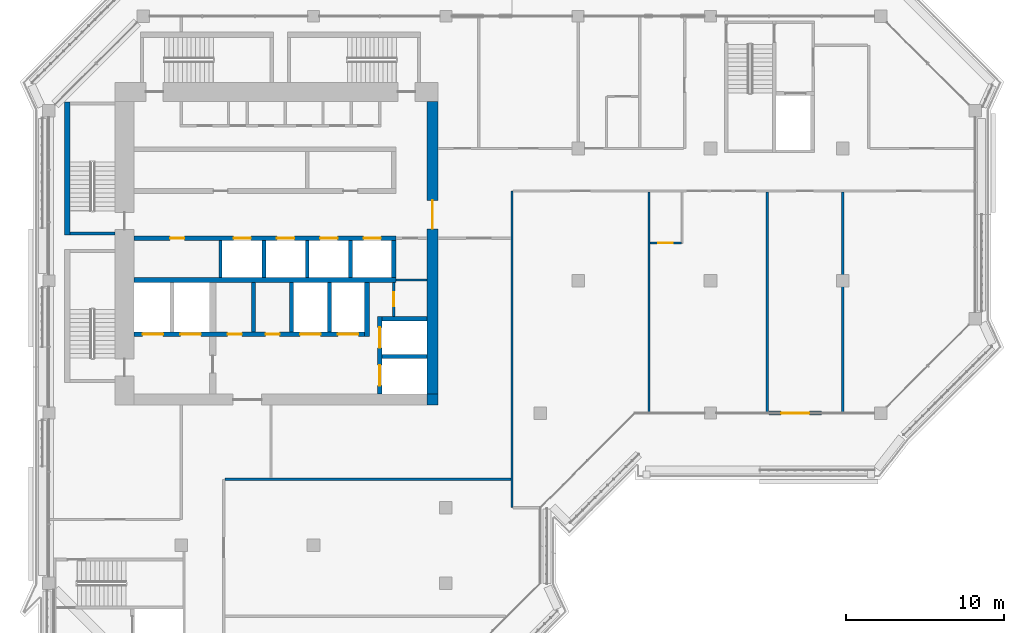
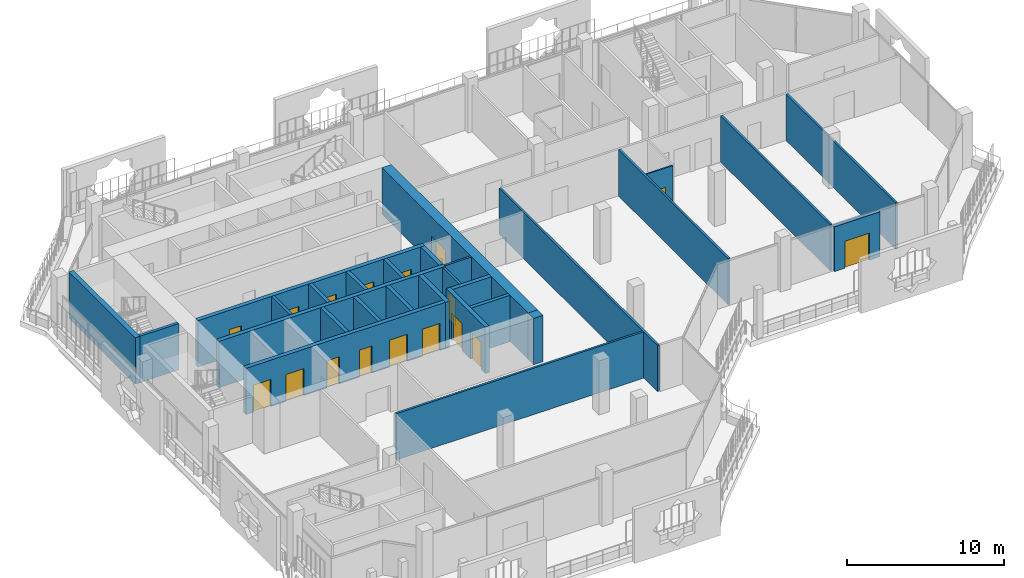
# One storey, part 11 of 21: 28 walls, 17 doors, 17 openings.
"""IFC4 building model written with IfcOpenShell, lengths in metres."""

import ifcopenshell
import ifcopenshell.guid

model = None  # the IFC model being written
_history = None  # IfcOwnerHistory: only IFC2X3 demands one
_inside = {}  # id of a spatial element -> (the spatial element, [elements in it])
_under = {}  # id of a project, library or spatial element -> (it, [spatial elements below it])
_declared = {}  # id of a project -> (the project, [libraries it declares])
_typed = {}  # id of a type object -> (the type object, [elements of that type])
_made_of = {}  # id of a material, layer set ... -> (it, [elements and type objects made of it])


def new_model(schema):
    """Start an empty IFC model of exactly this schema.

    Asked for "IFC4X3", IfcOpenShell would pick the latest addendum, in which some entities
    have other attributes; the version numbers below select the first issue.
    IFC2X3 requires an IfcOwnerHistory on every rooted entity: one is made here for all.
    """
    global model, _history
    if schema == "IFC4X3":
        model = ifcopenshell.file(schema_version=(4, 3, 0, 0))
    else:
        model = ifcopenshell.file(schema=schema)
    _inside.clear()
    _under.clear()
    _declared.clear()
    _typed.clear()
    _made_of.clear()
    _history = None
    if model.schema == "IFC2X3":
        org = make("IfcOrganization", Name="unknown")
        user = make(
            "IfcPersonAndOrganization",
            ThePerson=make("IfcPerson", FamilyName="unknown"),
            TheOrganization=org,
        )
        app = make(
            "IfcApplication",
            ApplicationDeveloper=org,
            Version="unknown",
            ApplicationFullName="unknown",
            ApplicationIdentifier="unknown",
        )
        _history = make(
            "IfcOwnerHistory",
            OwningUser=user,
            OwningApplication=app,
            ChangeAction="ADDED",
            CreationDate=0,
        )
    return model


def make(cls, **values):
    """One entity of the class cls with the attributes given. An attribute that is None is left unset."""
    return model.create_entity(
        cls, **{name: value for name, value in values.items() if value is not None}
    )


def rooted(cls, **values):
    """An entity with a GlobalId (a new one), such as an element, a storey or a relation."""
    return make(cls, GlobalId=ifcopenshell.guid.new(), OwnerHistory=_history, **values)


def si_unit(unit_type, name, prefix=None):
    """IfcSIUnit, for example si_unit("LENGTHUNIT", "METRE", prefix="MILLI")."""
    return make("IfcSIUnit", UnitType=unit_type, Prefix=prefix, Name=name)


def assignment(units):
    """IfcUnitAssignment: the units of a project."""
    return None if units is None else make("IfcUnitAssignment", Units=units)


def point(xyz):
    """IfcCartesianPoint."""
    return None if xyz is None else make("IfcCartesianPoint", Coordinates=xyz)


def direction(xyz):
    """IfcDirection."""
    return None if xyz is None else make("IfcDirection", DirectionRatios=xyz)


def frame(location, z_axis=None, x_axis=None):
    """IfcAxis2Placement3D, a coordinate frame: its origin and axes. An axis left out is left unset."""
    return make(
        "IfcAxis2Placement3D",
        Location=point(location),
        Axis=direction(z_axis),
        RefDirection=direction(x_axis),
    )


def frame_2d(location, x_axis=None):
    """IfcAxis2Placement2D, a coordinate frame in the plane: its origin and x axis."""
    return make(
        "IfcAxis2Placement2D", Location=point(location), RefDirection=direction(x_axis)
    )


def origin():
    """The frame at (0, 0, 0) with its axes left unset."""
    return frame((0.0, 0.0, 0.0))


def place(relative_to, where):
    """IfcLocalPlacement: puts the frame where relative to a parent placement (None: the world)."""
    return make(
        "IfcLocalPlacement", PlacementRelTo=relative_to, RelativePlacement=where
    )


def context(
    kind, dimensions, precision=None, world=None, true_north=None, identifier=None
):
    """IfcGeometricRepresentationContext, for example the 3D "Model" context."""
    return make(
        "IfcGeometricRepresentationContext",
        ContextIdentifier=identifier,
        ContextType=kind,
        CoordinateSpaceDimension=dimensions,
        Precision=precision,
        WorldCoordinateSystem=world,
        TrueNorth=true_north,
    )


def subcontext(parent, identifier, kind, view, scale=None):
    """IfcGeometricRepresentationSubContext, for example "Body" below "Model"."""
    return make(
        "IfcGeometricRepresentationSubContext",
        ContextIdentifier=identifier,
        ContextType=kind,
        ParentContext=parent,
        TargetScale=scale,
        TargetView=view,
    )


def project(units=None, contexts=None):
    """IfcProject with its units and contexts."""
    return rooted(
        "IfcProject",
        Name="project",
        RepresentationContexts=contexts,
        UnitsInContext=assignment(units),
    )


def spatial(cls, under=None, at=None, **own):
    """A site, building, storey or space (cls), placed at a placement, below another one or the project."""
    s = rooted(cls, ObjectPlacement=at, **own)
    if under is not None:
        _under.setdefault(under.id(), (under, []))[1].append(s)
    return s


def profile(cls, at=None, kind="AREA", **sizes):
    """A parametric profile (cls). Its sizes go by their IFC names, for example OverallWidth=200.0."""
    return make(cls, ProfileType=kind, Position=at, **sizes)


def rectangle(**sizes):
    """IfcRectangleProfileDef."""
    return profile("IfcRectangleProfileDef", **sizes)


def extrude(swept, where, along, depth):
    """IfcExtrudedAreaSolid: the profile swept, set in the frame where, extruded along a direction by depth."""
    return make(
        "IfcExtrudedAreaSolid",
        SweptArea=swept,
        Position=where,
        ExtrudedDirection=direction(along),
        Depth=depth,
    )


def shape(context_of_items, identifier, shape_type, items):
    """IfcShapeRepresentation: the items that make up one representation, for example the "Body"."""
    return make(
        "IfcShapeRepresentation",
        ContextOfItems=context_of_items,
        RepresentationIdentifier=identifier,
        RepresentationType=shape_type,
        Items=items,
    )


def material(Name=None, Category=None):
    """IfcMaterial."""
    return make("IfcMaterial", Name=Name, Category=Category)


def layer(
    of_material, thickness, ventilated=None, Name=None, Category=None, Priority=None
):
    """IfcMaterialLayer: one layer of a wall or slab, of a material (None: an air gap)."""
    return make(
        "IfcMaterialLayer",
        Material=of_material,
        LayerThickness=thickness,
        IsVentilated=ventilated,
        Name=Name,
        Category=Category,
        Priority=Priority,
    )


def layer_set(layers, Name=None):
    """IfcMaterialLayerSet."""
    return make("IfcMaterialLayerSet", MaterialLayers=layers, LayerSetName=Name)


def made_of(thing, what):
    """Note that an element or type object is made of a material, layer set ...; save() writes the relation."""
    if what is not None:
        _made_of.setdefault(what.id(), (what, []))[1].append(thing)
    return thing


def type_object(cls, material=None, **own):
    """A type object (cls), such as IfcWallType, which elements share."""
    return made_of(rooted(cls, **own), material)


def element(
    cls,
    number,
    at=None,
    inside=None,
    cuts=None,
    type_object=None,
    material=None,
    context=None,
    identifier="Body",
    shape_type=None,
    held_by="IfcProductDefinitionShape",
    body=None,
    shapes=None,
    **own,
):
    """One element of the class cls, such as IfcWall. Its Tag is "e" and its number.

    at: its placement. inside: the storey or other place that contains it. cuts: it is an
    opening in that element (IfcRelVoidsElement). A single representation is given by context,
    identifier, shape_type and body (its items); several are given by shapes. held_by: the class
    of the entity that holds the representations. save() writes the other relations.
    """
    e = rooted(cls, Tag="e%d" % number, ObjectPlacement=at, **own)
    if body is not None:
        shapes = [shape(context, identifier, shape_type, body)]
    if shapes is not None:
        e.Representation = make(held_by, Representations=shapes)
    if inside is not None:
        _inside.setdefault(inside.id(), (inside, []))[1].append(e)
    if cuts is not None:
        rooted(
            "IfcRelVoidsElement", RelatingBuildingElement=cuts, RelatedOpeningElement=e
        )
    if type_object is not None:
        _typed.setdefault(type_object.id(), (type_object, []))[1].append(e)
    return made_of(e, material)


def fill(opening, filler):
    """IfcRelFillsElement: the door or window that sits in an opening."""
    return rooted(
        "IfcRelFillsElement",
        RelatingOpeningElement=opening,
        RelatedBuildingElement=filler,
    )


def aggregate(whole, parts):
    """IfcRelAggregates: a whole, such as a stair, and the parts it consists of."""
    return rooted("IfcRelAggregates", RelatingObject=whole, RelatedObjects=parts)


def save(model, path):
    """Write the relations noted so far, then the file.

    IfcRelAggregates (storeys below a building ...), IfcRelContainedInSpatialStructure (elements
    in a storey), IfcRelDefinesByType, IfcRelAssociatesMaterial and IfcRelDeclares: one each for
    every whole, place, type object, material and project.
    """
    for whole, parts in _under.values():
        aggregate(whole, parts)
    for where, things in _inside.values():
        rooted(
            "IfcRelContainedInSpatialStructure",
            RelatedElements=things,
            RelatingStructure=where,
        )
    for kind, things in _typed.values():
        rooted("IfcRelDefinesByType", RelatedObjects=things, RelatingType=kind)
    for what, things in _made_of.values():
        rooted("IfcRelAssociatesMaterial", RelatedObjects=things, RelatingMaterial=what)
    for by, libraries in _declared.values():
        rooted("IfcRelDeclares", RelatingContext=by, RelatedDefinitions=libraries)
    model.write(path)


model = new_model("IFC4")

# Units and contexts
model_context = context("Model", 3, precision=1e-05, world=origin(), true_north=direction((0.0, 1.0)))
body_context = subcontext(model_context, "Body", "Model", "MODEL_VIEW")
ifc_project = project(units=[si_unit("LENGTHUNIT", "METRE"), si_unit("AREAUNIT", "SQUARE_METRE"), si_unit("VOLUMEUNIT", "CUBIC_METRE"), si_unit("PLANEANGLEUNIT", "RADIAN"), si_unit("MASSUNIT", "GRAM", prefix="KILO")], contexts=[model_context])

# Site, building, storey
site_placement = place(None, origin())
site = spatial("IfcSite", under=ifc_project, at=site_placement, CompositionType="ELEMENT")
building_placement = place(site_placement, origin())
building = spatial("IfcBuilding", under=site, at=building_placement, Name="Kawkab Arch Medical Tower", CompositionType="ELEMENT")
storey_placement = place(building_placement, frame((0.0, 0.0, 323.800048828125)))
storey = spatial("IfcBuildingStorey", under=building, at=storey_placement, Name="L75", CompositionType="ELEMENT", Elevation=323.800048828125)

# Wall, opening, door
ifc_material_1 = material(Name="Concrete C50/60", Category="concrete")
ifc_layer_1 = layer(ifc_material_1, 0.699951171875)
ifc_layer_set_1 = layer_set([ifc_layer_1], Name="Concrete C50/60")
wall_type_1 = type_object("IfcWallType", Name="Core ring wall 700 C50/60", PredefinedType="SHEAR", material=ifc_layer_set_1)
wall_1_placement = place(storey_placement, frame((24.35009765625, -24.0, 0.0), z_axis=(0.0, 0.0, 1.0), x_axis=(0.0, 1.0, 0.0)))
wall_1 = element("IfcWall", 1, at=wall_1_placement, inside=storey, type_object=wall_type_1, Name="L75 core wall", PredefinedType="SHEAR", context=body_context, shape_type="SweptSolid", body=[
    extrude(rectangle(XDim=18.60009765625, YDim=0.699951171875, at=frame_2d((9.300048828125, 0.0))), origin(), (0.0, 0.0, 1.0), 3.599853515625),
])
opening_1_placement = place(wall_1_placement, frame((10.5, 0.0, 0.0)))
opening_1 = element("IfcOpeningElement", 2, at=opening_1_placement, cuts=wall_1, Name="Opening PD", PredefinedType="OPENING", context=body_context, shape_type="SweptSolid", body=[
    extrude(rectangle(XDim=1.800048828125, YDim=2.10009765625, at=frame_2d((0.89990234375, 1.050048828125))), frame((0.0, 0.35986328125, 0.0), z_axis=(0.0, -1.0, 0.0), x_axis=(1.0, 0.0, 0.0)), (0.0, 0.0, 1.0), 0.719970703125),
])
ifc_material_2 = material(Name="Hollow metal fire door leaf")
door_type_1 = type_object("IfcDoorType", Name="Core entrance doors 1800", OperationType="DOUBLE_DOOR_SINGLE_SWING", PredefinedType="DOOR", material=ifc_material_2)
door_1_placement = place(opening_1_placement, origin())
door_1 = element("IfcDoor", 3, at=door_1_placement, inside=storey, type_object=door_type_1, Name="L75 East entrance doors", OperationType="DOUBLE_DOOR_SINGLE_SWING", OverallHeight=2.10009765625, OverallWidth=1.800048828125, PredefinedType="DOOR", context=body_context, shape_type="SweptSolid", body=[
    extrude(rectangle(XDim=1.800048828125, YDim=2.10009765625, at=frame_2d((0.89990234375, 1.050048828125))), frame((0.0, 0.02490234375, 0.0), z_axis=(0.0, -1.0, 0.0), x_axis=(1.0, 0.0, 0.0)), (0.0, 0.0, 1.0), 0.050048828125),
])
fill(opening_1, door_1)

# Wall
wall_2_placement = place(storey_placement, frame((24.35009765625, -24.699951171875, 0.0), z_axis=(0.0, 0.0, 1.0), x_axis=(0.0, 1.0, 0.0)))
element("IfcWall", 4, at=wall_2_placement, inside=storey, type_object=wall_type_1, Name="L75 core wall", PredefinedType="SHEAR", context=body_context, shape_type="SweptSolid", body=[
    extrude(rectangle(XDim=0.699951171875, YDim=0.699951171875, at=frame_2d((0.35009765625, 0.0))), origin(), (0.0, 0.0, 1.0), 3.599853515625),
])

# Wall, opening, door
ifc_material_3 = material(Name="Gypsum board on steel studs", Category="steel")
ifc_layer_2 = layer(ifc_material_3, 0.14990234375)
ifc_layer_set_2 = layer_set([ifc_layer_2], Name="Gypsum board on steel studs")
wall_type_2 = type_object("IfcWallType", Name="Core room partition 150", PredefinedType="PARTITIONING", material=ifc_layer_set_2)
wall_3_placement = place(storey_placement, frame((21.89990234375, -19.050048828125, 0.0), z_axis=(0.0, 0.0, 1.0), x_axis=(0.0, 1.0, 0.0)))
wall_3 = element("IfcWall", 5, at=wall_3_placement, inside=storey, type_object=wall_type_2, Name="L75 core room partition", PredefinedType="PARTITIONING", context=body_context, shape_type="SweptSolid", body=[
    extrude(rectangle(XDim=2.150146484375, YDim=0.14990234375, at=frame_2d((1.0751953125, 0.0))), origin(), (0.0, 0.0, 1.0), 3.599853515625),
])
opening_2_placement = place(wall_3_placement, frame((0.625, 0.0, 0.0)))
opening_2 = element("IfcOpeningElement", 6, at=opening_2_placement, cuts=wall_3, Name="Opening RD", PredefinedType="OPENING", context=body_context, shape_type="SweptSolid", body=[
    extrude(rectangle(XDim=0.89990234375, YDim=2.10009765625, at=frame_2d((0.449951171875, 1.050048828125))), frame((0.0, 0.0849609375, 0.0), z_axis=(0.0, -1.0, 0.0), x_axis=(1.0, 0.0, 0.0)), (0.0, 0.0, 1.0), 0.169921875),
])
ifc_material_4 = material(Name="Hollow metal fire door leaf")
door_type_2 = type_object("IfcDoorType", Name="Core room door 900", OperationType="SINGLE_SWING_LEFT", PredefinedType="DOOR", material=ifc_material_4)
door_2_placement = place(opening_2_placement, origin())
door_2 = element("IfcDoor", 7, at=door_2_placement, inside=storey, type_object=door_type_2, Name="L75 Accessible WC door", OperationType="SINGLE_SWING_LEFT", OverallHeight=2.10009765625, OverallWidth=0.89990234375, PredefinedType="DOOR", context=body_context, shape_type="SweptSolid", body=[
    extrude(rectangle(XDim=0.89990234375, YDim=2.10009765625, at=frame_2d((0.449951171875, 1.050048828125))), frame((0.0, 0.02490234375, 0.0), z_axis=(0.0, -1.0, 0.0), x_axis=(1.0, 0.0, 0.0)), (0.0, 0.0, 1.0), 0.050048828125),
])
fill(opening_2, door_2)

# Walls
wall_4_placement = place(storey_placement, frame((22.050048828125, -16.75, 0.0), z_axis=(0.0, 0.0, 1.0), x_axis=(1.0, 0.0, 0.0)))
element("IfcWall", 8, at=wall_4_placement, inside=storey, type_object=wall_type_2, Name="L75 core room partition", PredefinedType="PARTITIONING", context=body_context, shape_type="SweptSolid", body=[
    extrude(rectangle(XDim=1.949951171875, YDim=0.14990234375, at=frame_2d((0.97509765625, 0.0))), origin(), (0.0, 0.0, 1.0), 3.599853515625),
])
ifc_material_5 = material(Name="Concrete C60/75", Category="concrete")
ifc_layer_3 = layer(ifc_material_5, 0.25)
ifc_layer_set_3 = layer_set([ifc_layer_3], Name="Concrete C60/75")
wall_type_3 = type_object("IfcWallType", Name="Core shear wall 250 C60/75", PredefinedType="SHEAR", material=ifc_layer_set_3)
wall_5_placement = place(storey_placement, frame((21.14990234375, -21.60009765625, 0.0), z_axis=(0.0, 0.0, 1.0), x_axis=(1.0, 0.0, 0.0)))
element("IfcWall", 9, at=wall_5_placement, inside=storey, type_object=wall_type_3, Name="L75 core shear wall", PredefinedType="SHEAR", context=body_context, shape_type="SweptSolid", body=[
    extrude(rectangle(XDim=2.85009765625, YDim=0.25, at=frame_2d((1.425048828125, 0.0))), origin(), (0.0, 0.0, 1.0), 3.599853515625),
])
for number, where, z_axis, x_axis, name in (
    (10, (13.0, -20.050048828125, 0.0), (0.0, 0.0, 1.0), (0.0, 1.0, 0.0), "L75 core shear wall"),
    (11, (15.39990234375, -20.050048828125, 0.0), (0.0, 0.0, 1.0), (0.0, 1.0, 0.0), "L75 core shear wall"),
    (12, (17.800048828125, -20.050048828125, 0.0), (0.0, 0.0, 1.0), (0.0, 1.0, 0.0), "L75 core shear wall"),
):
    element("IfcWall", number, at=place(storey_placement, frame(where, z_axis=z_axis, x_axis=x_axis)), inside=storey, type_object=wall_type_3, Name=name, PredefinedType="SHEAR", context=body_context, shape_type="SweptSolid", body=[
        extrude(rectangle(XDim=3.150146484375, YDim=0.25, at=frame_2d((1.5751953125, 0.0))), origin(), (0.0, 0.0, 1.0), 3.599853515625),
    ])
for number, where, z_axis, x_axis, name in (
    (13, (13.64990234375, -16.60009765625, 0.0), (0.0, 0.0, 1.0), (0.0, 1.0, 0.0), "L75 core shear wall"),
    (14, (16.39990234375, -16.60009765625, 0.0), (0.0, 0.0, 1.0), (0.0, 1.0, 0.0), "L75 core shear wall"),
    (15, (19.14990234375, -16.60009765625, 0.0), (0.0, 0.0, 1.0), (0.0, 1.0, 0.0), "L75 core shear wall"),
):
    element("IfcWall", number, at=place(storey_placement, frame(where, z_axis=z_axis, x_axis=x_axis)), inside=storey, type_object=wall_type_3, Name=name, PredefinedType="SHEAR", context=body_context, shape_type="SweptSolid", body=[
        extrude(rectangle(XDim=2.35009765625, YDim=0.25, at=frame_2d((1.175048828125, 0.0))), origin(), (0.0, 0.0, 1.0), 3.599853515625),
    ])

# Wall, openings, doors
ifc_material_6 = material(Name="Concrete C60/75", Category="concrete")
ifc_layer_4 = layer(ifc_material_6, 0.300048828125)
ifc_layer_set_4 = layer_set([ifc_layer_4], Name="Concrete C60/75")
wall_type_4 = type_object("IfcWallType", Name="Core shear wall 300 C60/75", PredefinedType="SHEAR", material=ifc_layer_set_4)
wall_6_placement = place(storey_placement, frame((5.39990234375, -14.10009765625, 0.0), z_axis=(0.0, 0.0, 1.0), x_axis=(1.0, 0.0, 0.0)))
wall_6 = element("IfcWall", 16, at=wall_6_placement, inside=storey, type_object=wall_type_4, Name="L75 core shear wall", PredefinedType="SHEAR", context=body_context, shape_type="SweptSolid", body=[
    extrude(rectangle(XDim=16.650146484375, YDim=0.300048828125, at=frame_2d((8.3251953125, 0.0))), origin(), (0.0, 0.0, 1.0), 3.599853515625),
])
opening_3_placement = place(wall_6_placement, frame((6.324951171875, 0.0, 0.0)))
opening_3 = element("IfcOpeningElement", 17, at=opening_3_placement, cuts=wall_6, Name="Opening LD1", PredefinedType="OPENING", context=body_context, shape_type="SweptSolid", body=[
    extrude(rectangle(XDim=1.10009765625, YDim=2.10009765625, at=frame_2d((0.550048828125, 1.050048828125))), frame((0.0, 0.159912109375, 0.0), z_axis=(0.0, -1.0, 0.0), x_axis=(1.0, 0.0, 0.0)), (0.0, 0.0, 1.0), 0.320068359375),
])
opening_4_placement = place(wall_6_placement, frame((9.074951171875, 0.0, 0.0)))
opening_4 = element("IfcOpeningElement", 18, at=opening_4_placement, cuts=wall_6, Name="Opening LD1", PredefinedType="OPENING", context=body_context, shape_type="SweptSolid", body=[
    extrude(rectangle(XDim=1.10009765625, YDim=2.10009765625, at=frame_2d((0.550048828125, 1.050048828125))), frame((0.0, 0.159912109375, 0.0), z_axis=(0.0, -1.0, 0.0), x_axis=(1.0, 0.0, 0.0)), (0.0, 0.0, 1.0), 0.320068359375),
])
opening_5_placement = place(wall_6_placement, frame((11.824951171875, 0.0, 0.0)))
opening_5 = element("IfcOpeningElement", 19, at=opening_5_placement, cuts=wall_6, Name="Opening LD1", PredefinedType="OPENING", context=body_context, shape_type="SweptSolid", body=[
    extrude(rectangle(XDim=1.10009765625, YDim=2.10009765625, at=frame_2d((0.550048828125, 1.050048828125))), frame((0.0, 0.159912109375, 0.0), z_axis=(0.0, -1.0, 0.0), x_axis=(1.0, 0.0, 0.0)), (0.0, 0.0, 1.0), 0.320068359375),
])
opening_6_placement = place(wall_6_placement, frame((14.574951171875, 0.0, 0.0)))
opening_6 = element("IfcOpeningElement", 20, at=opening_6_placement, cuts=wall_6, Name="Opening LD1", PredefinedType="OPENING", context=body_context, shape_type="SweptSolid", body=[
    extrude(rectangle(XDim=1.10009765625, YDim=2.10009765625, at=frame_2d((0.550048828125, 1.050048828125))), frame((0.0, 0.159912109375, 0.0), z_axis=(0.0, -1.0, 0.0), x_axis=(1.0, 0.0, 0.0)), (0.0, 0.0, 1.0), 0.320068359375),
])
opening_7_placement = place(wall_6_placement, frame((2.300048828125, 0.0, 0.0)))
opening_7 = element("IfcOpeningElement", 21, at=opening_7_placement, cuts=wall_6, Name="Opening RD", PredefinedType="OPENING", context=body_context, shape_type="SweptSolid", body=[
    extrude(rectangle(XDim=0.89990234375, YDim=2.10009765625, at=frame_2d((0.449951171875, 1.050048828125))), frame((0.0, 0.159912109375, 0.0), z_axis=(0.0, -1.0, 0.0), x_axis=(1.0, 0.0, 0.0)), (0.0, 0.0, 1.0), 0.320068359375),
])
door_3_placement = place(opening_7_placement, origin())
door_3 = element("IfcDoor", 22, at=door_3_placement, inside=storey, type_object=door_type_2, Name="L75 Medication store door", OperationType="SINGLE_SWING_LEFT", OverallHeight=2.10009765625, OverallWidth=0.89990234375, PredefinedType="DOOR", context=body_context, shape_type="SweptSolid", body=[
    extrude(rectangle(XDim=0.89990234375, YDim=2.10009765625, at=frame_2d((0.449951171875, 1.050048828125))), frame((0.0, 0.02490234375, 0.0), z_axis=(0.0, -1.0, 0.0), x_axis=(1.0, 0.0, 0.0)), (0.0, 0.0, 1.0), 0.050048828125),
])
fill(opening_7, door_3)
ifc_material_7 = material(Name="Stainless steel lift door leaf", Category="steel")
door_type_3 = type_object("IfcDoorType", Name="Lift landing door 1100", OperationType="DOUBLE_DOOR_SLIDING", PredefinedType="DOOR", material=ifc_material_7)
door_4_placement = place(opening_3_placement, origin())
door_4 = element("IfcDoor", 23, at=door_4_placement, inside=storey, type_object=door_type_3, Name="L75 Lift landing door HP1", OperationType="DOUBLE_DOOR_SLIDING", OverallHeight=2.10009765625, OverallWidth=1.10009765625, PredefinedType="DOOR", context=body_context, shape_type="SweptSolid", body=[
    extrude(rectangle(XDim=1.10009765625, YDim=2.10009765625, at=frame_2d((0.550048828125, 1.050048828125))), frame((0.0, 0.02490234375, 0.0), z_axis=(0.0, -1.0, 0.0), x_axis=(1.0, 0.0, 0.0)), (0.0, 0.0, 1.0), 0.050048828125),
])
fill(opening_3, door_4)
door_5_placement = place(opening_4_placement, origin())
door_5 = element("IfcDoor", 24, at=door_5_placement, inside=storey, type_object=door_type_3, Name="L75 Lift landing door HP2", OperationType="DOUBLE_DOOR_SLIDING", OverallHeight=2.10009765625, OverallWidth=1.10009765625, PredefinedType="DOOR", context=body_context, shape_type="SweptSolid", body=[
    extrude(rectangle(XDim=1.10009765625, YDim=2.10009765625, at=frame_2d((0.550048828125, 1.050048828125))), frame((0.0, 0.02490234375, 0.0), z_axis=(0.0, -1.0, 0.0), x_axis=(1.0, 0.0, 0.0)), (0.0, 0.0, 1.0), 0.050048828125),
])
fill(opening_4, door_5)
door_6_placement = place(opening_5_placement, origin())
door_6 = element("IfcDoor", 25, at=door_6_placement, inside=storey, type_object=door_type_3, Name="L75 Lift landing door HP3", OperationType="DOUBLE_DOOR_SLIDING", OverallHeight=2.10009765625, OverallWidth=1.10009765625, PredefinedType="DOOR", context=body_context, shape_type="SweptSolid", body=[
    extrude(rectangle(XDim=1.10009765625, YDim=2.10009765625, at=frame_2d((0.550048828125, 1.050048828125))), frame((0.0, 0.02490234375, 0.0), z_axis=(0.0, -1.0, 0.0), x_axis=(1.0, 0.0, 0.0)), (0.0, 0.0, 1.0), 0.050048828125),
])
fill(opening_5, door_6)
door_7_placement = place(opening_6_placement, origin())
door_7 = element("IfcDoor", 26, at=door_7_placement, inside=storey, type_object=door_type_3, Name="L75 Lift landing door HP4", OperationType="DOUBLE_DOOR_SLIDING", OverallHeight=2.10009765625, OverallWidth=1.10009765625, PredefinedType="DOOR", context=body_context, shape_type="SweptSolid", body=[
    extrude(rectangle(XDim=1.10009765625, YDim=2.10009765625, at=frame_2d((0.550048828125, 1.050048828125))), frame((0.0, 0.02490234375, 0.0), z_axis=(0.0, -1.0, 0.0), x_axis=(1.0, 0.0, 0.0)), (0.0, 0.0, 1.0), 0.050048828125),
])
fill(opening_6, door_7)

# Wall
wall_7_placement = place(storey_placement, frame((5.39990234375, -16.75, 0.0), z_axis=(0.0, 0.0, 1.0), x_axis=(1.0, 0.0, 0.0)))
element("IfcWall", 27, at=wall_7_placement, inside=storey, type_object=wall_type_4, Name="L75 core shear wall", PredefinedType="SHEAR", context=body_context, shape_type="SweptSolid", body=[
    extrude(rectangle(XDim=16.650146484375, YDim=0.300048828125, at=frame_2d((8.3251953125, 0.0))), origin(), (0.0, 0.0, 1.0), 3.599853515625),
])

# Wall, openings, doors
wall_8_placement = place(storey_placement, frame((5.39990234375, -20.199951171875, 0.0), z_axis=(0.0, 0.0, 1.0), x_axis=(1.0, 0.0, 0.0)))
wall_8 = element("IfcWall", 28, at=wall_8_placement, inside=storey, type_object=wall_type_4, Name="L75 core shear wall", PredefinedType="SHEAR", context=body_context, shape_type="SweptSolid", body=[
    extrude(rectangle(XDim=14.650146484375, YDim=0.300048828125, at=frame_2d((7.3251953125, 0.0))), origin(), (0.0, 0.0, 1.0), 3.599853515625),
])
opening_8_placement = place(wall_8_placement, frame((10.550048828125, 0.0, 0.0)))
opening_8 = element("IfcOpeningElement", 29, at=opening_8_placement, cuts=wall_8, Name="Opening LD2", PredefinedType="OPENING", context=body_context, shape_type="SweptSolid", body=[
    extrude(rectangle(XDim=1.300048828125, YDim=2.10009765625, at=frame_2d((0.64990234375, 1.050048828125))), frame((0.0, 0.159912109375, 0.0), z_axis=(0.0, -1.0, 0.0), x_axis=(1.0, 0.0, 0.0)), (0.0, 0.0, 1.0), 0.320068359375),
])
opening_9_placement = place(wall_8_placement, frame((12.949951171875, 0.0, 0.0)))
opening_9 = element("IfcOpeningElement", 30, at=opening_9_placement, cuts=wall_8, Name="Opening LD2", PredefinedType="OPENING", context=body_context, shape_type="SweptSolid", body=[
    extrude(rectangle(XDim=1.300048828125, YDim=2.10009765625, at=frame_2d((0.64990234375, 1.050048828125))), frame((0.0, 0.159912109375, 0.0), z_axis=(0.0, -1.0, 0.0), x_axis=(1.0, 0.0, 0.0)), (0.0, 0.0, 1.0), 0.320068359375),
])
opening_10_placement = place(wall_8_placement, frame((0.550048828125, 0.0, 0.0)))
opening_10 = element("IfcOpeningElement", 31, at=opening_10_placement, cuts=wall_8, Name="Opening LD2", PredefinedType="OPENING", context=body_context, shape_type="SweptSolid", body=[
    extrude(rectangle(XDim=1.300048828125, YDim=2.10009765625, at=frame_2d((0.64990234375, 1.050048828125))), frame((0.0, 0.159912109375, 0.0), z_axis=(0.0, -1.0, 0.0), x_axis=(1.0, 0.0, 0.0)), (0.0, 0.0, 1.0), 0.320068359375),
])
opening_11_placement = place(wall_8_placement, frame((2.949951171875, 0.0, 0.0)))
opening_11 = element("IfcOpeningElement", 32, at=opening_11_placement, cuts=wall_8, Name="Opening LD2", PredefinedType="OPENING", context=body_context, shape_type="SweptSolid", body=[
    extrude(rectangle(XDim=1.300048828125, YDim=2.10009765625, at=frame_2d((0.64990234375, 1.050048828125))), frame((0.0, 0.159912109375, 0.0), z_axis=(0.0, -1.0, 0.0), x_axis=(1.0, 0.0, 0.0)), (0.0, 0.0, 1.0), 0.320068359375),
])
opening_12_placement = place(wall_8_placement, frame((5.949951171875, 0.0, 0.0)))
opening_12 = element("IfcOpeningElement", 33, at=opening_12_placement, cuts=wall_8, Name="Opening RD", PredefinedType="OPENING", context=body_context, shape_type="SweptSolid", body=[
    extrude(rectangle(XDim=0.89990234375, YDim=2.10009765625, at=frame_2d((0.449951171875, 1.050048828125))), frame((0.0, 0.159912109375, 0.0), z_axis=(0.0, -1.0, 0.0), x_axis=(1.0, 0.0, 0.0)), (0.0, 0.0, 1.0), 0.320068359375),
])
opening_13_placement = place(wall_8_placement, frame((8.35009765625, 0.0, 0.0)))
opening_13 = element("IfcOpeningElement", 34, at=opening_13_placement, cuts=wall_8, Name="Opening RD", PredefinedType="OPENING", context=body_context, shape_type="SweptSolid", body=[
    extrude(rectangle(XDim=0.89990234375, YDim=2.10009765625, at=frame_2d((0.449951171875, 1.050048828125))), frame((0.0, 0.159912109375, 0.0), z_axis=(0.0, -1.0, 0.0), x_axis=(1.0, 0.0, 0.0)), (0.0, 0.0, 1.0), 0.320068359375),
])
door_8_placement = place(opening_12_placement, origin())
door_8 = element("IfcDoor", 35, at=door_8_placement, inside=storey, type_object=door_type_2, Name="L75 Dirty utility room door", OperationType="SINGLE_SWING_LEFT", OverallHeight=2.10009765625, OverallWidth=0.89990234375, PredefinedType="DOOR", context=body_context, shape_type="SweptSolid", body=[
    extrude(rectangle(XDim=0.89990234375, YDim=2.10009765625, at=frame_2d((0.449951171875, 1.050048828125))), frame((0.0, 0.02490234375, 0.0), z_axis=(0.0, -1.0, 0.0), x_axis=(1.0, 0.0, 0.0)), (0.0, 0.0, 1.0), 0.050048828125),
])
fill(opening_12, door_8)
door_9_placement = place(opening_13_placement, origin())
door_9 = element("IfcDoor", 36, at=door_9_placement, inside=storey, type_object=door_type_2, Name="L75 Medication store door", OperationType="SINGLE_SWING_LEFT", OverallHeight=2.10009765625, OverallWidth=0.89990234375, PredefinedType="DOOR", context=body_context, shape_type="SweptSolid", body=[
    extrude(rectangle(XDim=0.89990234375, YDim=2.10009765625, at=frame_2d((0.449951171875, 1.050048828125))), frame((0.0, 0.02490234375, 0.0), z_axis=(0.0, -1.0, 0.0), x_axis=(1.0, 0.0, 0.0)), (0.0, 0.0, 1.0), 0.050048828125),
])
fill(opening_13, door_9)
ifc_material_8 = material(Name="Stainless steel lift door leaf", Category="steel")
door_type_4 = type_object("IfcDoorType", Name="Lift landing door 1300", OperationType="DOUBLE_DOOR_SLIDING", PredefinedType="DOOR", material=ifc_material_8)
door_10_placement = place(opening_8_placement, origin())
door_10 = element("IfcDoor", 37, at=door_10_placement, inside=storey, type_object=door_type_4, Name="L75 Lift landing door BD3", OperationType="DOUBLE_DOOR_SLIDING", OverallHeight=2.10009765625, OverallWidth=1.300048828125, PredefinedType="DOOR", context=body_context, shape_type="SweptSolid", body=[
    extrude(rectangle(XDim=1.300048828125, YDim=2.10009765625, at=frame_2d((0.64990234375, 1.050048828125))), frame((0.0, 0.02490234375, 0.0), z_axis=(0.0, -1.0, 0.0), x_axis=(1.0, 0.0, 0.0)), (0.0, 0.0, 1.0), 0.050048828125),
])
fill(opening_8, door_10)
door_11_placement = place(opening_9_placement, origin())
door_11 = element("IfcDoor", 38, at=door_11_placement, inside=storey, type_object=door_type_4, Name="L75 Lift landing door BD4", OperationType="DOUBLE_DOOR_SLIDING", OverallHeight=2.10009765625, OverallWidth=1.300048828125, PredefinedType="DOOR", context=body_context, shape_type="SweptSolid", body=[
    extrude(rectangle(XDim=1.300048828125, YDim=2.10009765625, at=frame_2d((0.64990234375, 1.050048828125))), frame((0.0, 0.02490234375, 0.0), z_axis=(0.0, -1.0, 0.0), x_axis=(1.0, 0.0, 0.0)), (0.0, 0.0, 1.0), 0.050048828125),
])
fill(opening_9, door_11)
door_12_placement = place(opening_10_placement, origin())
door_12 = element("IfcDoor", 39, at=door_12_placement, inside=storey, type_object=door_type_4, Name="L75 Lift landing door FL1", OperationType="DOUBLE_DOOR_SLIDING", OverallHeight=2.10009765625, OverallWidth=1.300048828125, PredefinedType="DOOR", context=body_context, shape_type="SweptSolid", body=[
    extrude(rectangle(XDim=1.300048828125, YDim=2.10009765625, at=frame_2d((0.64990234375, 1.050048828125))), frame((0.0, 0.02490234375, 0.0), z_axis=(0.0, -1.0, 0.0), x_axis=(1.0, 0.0, 0.0)), (0.0, 0.0, 1.0), 0.050048828125),
])
fill(opening_10, door_12)
door_13_placement = place(opening_11_placement, origin())
door_13 = element("IfcDoor", 40, at=door_13_placement, inside=storey, type_object=door_type_4, Name="L75 Lift landing door FL2", OperationType="DOUBLE_DOOR_SLIDING", OverallHeight=2.10009765625, OverallWidth=1.300048828125, PredefinedType="DOOR", context=body_context, shape_type="SweptSolid", body=[
    extrude(rectangle(XDim=1.300048828125, YDim=2.10009765625, at=frame_2d((0.64990234375, 1.050048828125))), frame((0.0, 0.02490234375, 0.0), z_axis=(0.0, -1.0, 0.0), x_axis=(1.0, 0.0, 0.0)), (0.0, 0.0, 1.0), 0.050048828125),
])
fill(opening_11, door_13)

# Walls
wall_9_placement = place(storey_placement, frame((20.199951171875, -20.35009765625, 0.0), z_axis=(0.0, 0.0, 1.0), x_axis=(0.0, 1.0, 0.0)))
element("IfcWall", 41, at=wall_9_placement, inside=storey, type_object=wall_type_4, Name="L75 core shear wall", PredefinedType="SHEAR", context=body_context, shape_type="SweptSolid", body=[
    extrude(rectangle(XDim=3.4501953125, YDim=0.300048828125, at=frame_2d((1.72509765625, 0.0))), origin(), (0.0, 0.0, 1.0), 3.599853515625),
])
wall_10_placement = place(storey_placement, frame((21.89990234375, -16.60009765625, 0.0), z_axis=(0.0, 0.0, 1.0), x_axis=(0.0, 1.0, 0.0)))
element("IfcWall", 42, at=wall_10_placement, inside=storey, type_object=wall_type_4, Name="L75 core shear wall", PredefinedType="SHEAR", context=body_context, shape_type="SweptSolid", body=[
    extrude(rectangle(XDim=2.35009765625, YDim=0.300048828125, at=frame_2d((1.175048828125, 0.0))), origin(), (0.0, 0.0, 1.0), 3.599853515625),
])
wall_11_placement = place(storey_placement, frame((21.14990234375, -19.199951171875, 0.0), z_axis=(0.0, 0.0, 1.0), x_axis=(1.0, 0.0, 0.0)))
element("IfcWall", 43, at=wall_11_placement, inside=storey, type_object=wall_type_4, Name="L75 core shear wall", PredefinedType="SHEAR", context=body_context, shape_type="SweptSolid", body=[
    extrude(rectangle(XDim=2.85009765625, YDim=0.300048828125, at=frame_2d((1.425048828125, 0.0))), origin(), (0.0, 0.0, 1.0), 3.599853515625),
])

# Wall, openings, doors
wall_12_placement = place(storey_placement, frame((21.0, -24.0, 0.0), z_axis=(0.0, 0.0, 1.0), x_axis=(0.0, 1.0, 0.0)))
wall_12 = element("IfcWall", 44, at=wall_12_placement, inside=storey, type_object=wall_type_4, Name="L75 core shear wall", PredefinedType="SHEAR", context=body_context, shape_type="SweptSolid", body=[
    extrude(rectangle(XDim=4.949951171875, YDim=0.300048828125, at=frame_2d((2.47509765625, 0.0))), origin(), (0.0, 0.0, 1.0), 3.599853515625),
])
opening_14_placement = place(wall_12_placement, frame((2.949951171875, 0.0, 0.0)))
opening_14 = element("IfcOpeningElement", 45, at=opening_14_placement, cuts=wall_12, Name="Opening LD2", PredefinedType="OPENING", context=body_context, shape_type="SweptSolid", body=[
    extrude(rectangle(XDim=1.300048828125, YDim=2.10009765625, at=frame_2d((0.64990234375, 1.050048828125))), frame((0.0, 0.159912109375, 0.0), z_axis=(0.0, -1.0, 0.0), x_axis=(1.0, 0.0, 0.0)), (0.0, 0.0, 1.0), 0.320068359375),
])
opening_15_placement = place(wall_12_placement, frame((0.550048828125, 0.0, 0.0)))
opening_15 = element("IfcOpeningElement", 46, at=opening_15_placement, cuts=wall_12, Name="Opening LD2", PredefinedType="OPENING", context=body_context, shape_type="SweptSolid", body=[
    extrude(rectangle(XDim=1.300048828125, YDim=2.10009765625, at=frame_2d((0.64990234375, 1.050048828125))), frame((0.0, 0.159912109375, 0.0), z_axis=(0.0, -1.0, 0.0), x_axis=(1.0, 0.0, 0.0)), (0.0, 0.0, 1.0), 0.320068359375),
])
door_14_placement = place(opening_14_placement, origin())
door_14 = element("IfcDoor", 47, at=door_14_placement, inside=storey, type_object=door_type_4, Name="L75 Lift landing door BD1", OperationType="DOUBLE_DOOR_SLIDING", OverallHeight=2.10009765625, OverallWidth=1.300048828125, PredefinedType="DOOR", context=body_context, shape_type="SweptSolid", body=[
    extrude(rectangle(XDim=1.300048828125, YDim=2.10009765625, at=frame_2d((0.64990234375, 1.050048828125))), frame((0.0, 0.02490234375, 0.0), z_axis=(0.0, -1.0, 0.0), x_axis=(1.0, 0.0, 0.0)), (0.0, 0.0, 1.0), 0.050048828125),
])
fill(opening_14, door_14)
door_15_placement = place(opening_15_placement, origin())
door_15 = element("IfcDoor", 48, at=door_15_placement, inside=storey, type_object=door_type_4, Name="L75 Lift landing door BD2", OperationType="DOUBLE_DOOR_SLIDING", OverallHeight=2.10009765625, OverallWidth=1.300048828125, PredefinedType="DOOR", context=body_context, shape_type="SweptSolid", body=[
    extrude(rectangle(XDim=1.300048828125, YDim=2.10009765625, at=frame_2d((0.64990234375, 1.050048828125))), frame((0.0, 0.02490234375, 0.0), z_axis=(0.0, -1.0, 0.0), x_axis=(1.0, 0.0, 0.0)), (0.0, 0.0, 1.0), 0.050048828125),
])
fill(opening_15, door_15)

# Wall, opening, door
ifc_material_9 = material(Name="Bronze clad insulated wall panel")
ifc_layer_5 = layer(ifc_material_9, 0.25)
ifc_layer_set_5 = layer_set([ifc_layer_5], Name="Bronze clad insulated wall panel")
wall_type_5 = type_object("IfcWallType", Name="External wall bay 250", PredefinedType="SOLIDWALL", material=ifc_layer_set_5)
wall_13_placement = place(storey_placement, frame((45.716552734375, -25.199951171875, 0.0), z_axis=(0.0, 0.0, 1.0), x_axis=(1.0, 0.0, 0.0)))
wall_13 = element("IfcWall", 49, at=wall_13_placement, inside=storey, type_object=wall_type_5, Name="External wall bay L75.R11.2.2", PredefinedType="SOLIDWALL", context=body_context, shape_type="SweptSolid", body=[
    extrude(rectangle(XDim=3.341796875, YDim=0.25, at=frame_2d((1.6708984375, 0.0))), origin(), (0.0, 0.0, 1.0), 3.47998046875),
])
opening_16_placement = place(wall_13_placement, frame((0.770751953125, 0.0, 0.0)))
opening_16 = element("IfcOpeningElement", 50, at=opening_16_placement, cuts=wall_13, Name="Opening W70-701", PredefinedType="OPENING", context=body_context, shape_type="SweptSolid", body=[
    extrude(rectangle(XDim=1.800048828125, YDim=2.10009765625, at=frame_2d((0.89990234375, 1.050048828125))), frame((0.0, 0.135009765625, 0.0), z_axis=(0.0, -1.0, 0.0), x_axis=(1.0, 0.0, 0.0)), (0.0, 0.0, 1.0), 0.27001953125),
])
ifc_material_10 = material(Name="Bronze anodised aluminium door with tinted glass", Category="aluminium")
door_type_5 = type_object("IfcDoorType", Name="Double external door 1800 x 2100", OperationType="DOUBLE_DOOR_SINGLE_SWING", PredefinedType="DOOR", material=ifc_material_10)
door_16_placement = place(opening_16_placement, origin())
door_16 = element("IfcDoor", 51, at=door_16_placement, inside=storey, type_object=door_type_5, Name="External door L75.R11.2.2", OperationType="DOUBLE_DOOR_SINGLE_SWING", OverallHeight=2.10009765625, OverallWidth=1.800048828125, PredefinedType="DOOR", context=body_context, shape_type="SweptSolid", body=[
    extrude(rectangle(XDim=1.800048828125, YDim=2.10009765625, at=frame_2d((0.89990234375, 1.050048828125))), frame((0.0, 0.02490234375, 0.0), z_axis=(0.0, -1.0, 0.0), x_axis=(1.0, 0.0, 0.0)), (0.0, 0.0, 1.0), 0.050048828125),
])
fill(opening_16, door_16)

# Wall
ifc_material_11 = material(Name="Dense concrete blockwork", Category="masonry")
ifc_layer_6 = layer(ifc_material_11, 0.199951171875)
ifc_layer_set_6 = layer_set([ifc_layer_6], Name="Dense concrete blockwork")
wall_type_6 = type_object("IfcWallType", Name="Lift shaft partition 200", PredefinedType="PARTITIONING", material=ifc_layer_set_6)
wall_14_placement = place(storey_placement, frame((10.89990234375, -16.60009765625, 0.0), z_axis=(0.0, 0.0, 1.0), x_axis=(0.0, 1.0, 0.0)))
element("IfcWall", 52, at=wall_14_placement, inside=storey, type_object=wall_type_6, Name="L75 lift shaft partition", PredefinedType="PARTITIONING", context=body_context, shape_type="SweptSolid", body=[
    extrude(rectangle(XDim=2.35009765625, YDim=0.199951171875, at=frame_2d((1.175048828125, 0.0))), origin(), (0.0, 0.0, 1.0), 3.599853515625),
])

# Wall, opening, door
ifc_material_12 = material(Name="Gypsum board partition on steel studs", Category="steel")
ifc_layer_7 = layer(ifc_material_12, 0.10009765625)
ifc_layer_set_7 = layer_set([ifc_layer_7], Name="Gypsum board partition on steel studs")
wall_type_7 = type_object("IfcWallType", Name="Partition 100", PredefinedType="PARTITIONING", material=ifc_layer_set_7)
wall_15_placement = place(storey_placement, frame((38.175048828125, -14.39990234375, 0.0), z_axis=(0.0, 0.0, 1.0), x_axis=(1.0, 0.0, 0.0)))
wall_15 = element("IfcWall", 53, at=wall_15_placement, inside=storey, type_object=wall_type_7, Name="Partition 100 w001", PredefinedType="PARTITIONING", context=body_context, shape_type="SweptSolid", body=[
    extrude(rectangle(XDim=1.974853515625, YDim=0.10009765625, at=frame_2d((0.9873046875, 0.0))), origin(), (0.0, 0.0, 1.0), 3.599853515625),
])
opening_17_placement = place(wall_15_placement, frame((0.52490234375, 0.0, 0.0)))
opening_17 = element("IfcOpeningElement", 54, at=opening_17_placement, cuts=wall_15, Name="Opening W70-005", PredefinedType="OPENING", context=body_context, shape_type="SweptSolid", body=[
    extrude(rectangle(XDim=0.89990234375, YDim=2.10009765625, at=frame_2d((0.449951171875, 1.050048828125))), frame((0.0, 0.06005859375, 0.0), z_axis=(0.0, -1.0, 0.0), x_axis=(1.0, 0.0, 0.0)), (0.0, 0.0, 1.0), 0.1201171875),
])
ifc_material_13 = material(Name="Timber door leaf", Category="wood")
door_type_6 = type_object("IfcDoorType", Name="Single door 900x2100", OperationType="NOTDEFINED", PredefinedType="DOOR", material=ifc_material_13)
door_17_placement = place(opening_17_placement, origin())
door_17 = element("IfcDoor", 55, at=door_17_placement, inside=storey, type_object=door_type_6, Name="Door W70-005", OperationType="SINGLE_SWING_RIGHT", OverallHeight=2.10009765625, OverallWidth=0.89990234375, PredefinedType="DOOR", context=body_context, shape_type="SweptSolid", body=[
    extrude(rectangle(XDim=0.89990234375, YDim=2.10009765625, at=frame_2d((0.449951171875, 1.050048828125))), frame((0.0, 0.02490234375, 0.0), z_axis=(0.0, -1.0, 0.0), x_axis=(1.0, 0.0, 0.0)), (0.0, 0.0, 1.0), 0.050048828125),
])
fill(opening_17, door_17)

# Walls
ifc_material_14 = material(Name="Gypsum board partition on steel studs, mineral wool", Category="steel")
ifc_layer_8 = layer(ifc_material_14, 0.14990234375)
ifc_layer_set_8 = layer_set([ifc_layer_8], Name="Gypsum board partition on steel studs, mineral wool")
wall_type_8 = type_object("IfcWallType", Name="Partition 150", PredefinedType="PARTITIONING", material=ifc_layer_set_8)
wall_16_placement = place(storey_placement, frame((11.175048828125, -29.39990234375, 0.0), z_axis=(0.0, 0.0, 1.0), x_axis=(1.0, 0.0, 0.0)))
element("IfcWall", 56, at=wall_16_placement, inside=storey, type_object=wall_type_8, Name="Partition 150 w008", PredefinedType="PARTITIONING", context=body_context, shape_type="SweptSolid", body=[
    extrude(rectangle(XDim=18.14990234375, YDim=0.14990234375, at=frame_2d((9.074951171875, 0.0))), origin(), (0.0, 0.0, 1.0), 3.599853515625),
])
wall_17_placement = place(storey_placement, frame((29.39990234375, -31.197998046875, 0.0), z_axis=(0.0, 0.0, 1.0), x_axis=(0.0, 1.0, 0.0)))
element("IfcWall", 57, at=wall_17_placement, inside=storey, type_object=wall_type_8, Name="Partition 150 w019", PredefinedType="PARTITIONING", context=body_context, shape_type="SweptSolid", body=[
    extrude(rectangle(XDim=20.097900390625, YDim=0.14990234375, at=frame_2d((10.048828125, 0.0))), origin(), (0.0, 0.0, 1.0), 3.599853515625),
])
for number, where, z_axis, x_axis, name in (
    (58, (38.10009765625, -25.1201171875, 0.0), (0.0, 0.0, 1.0), (0.0, 1.0, 0.0), "Partition 150 w022"),
    (59, (45.60009765625, -25.1201171875, 0.0), (0.0, 0.0, 1.0), (0.0, 1.0, 0.0), "Partition 150 w026"),
    (60, (50.39990234375, -25.1201171875, 0.0), (0.0, 0.0, 1.0), (0.0, 1.0, 0.0), "Partition 150 w027"),
):
    element("IfcWall", number, at=place(storey_placement, frame(where, z_axis=z_axis, x_axis=x_axis)), inside=storey, type_object=wall_type_8, Name=name, PredefinedType="PARTITIONING", context=body_context, shape_type="SweptSolid", body=[
        extrude(rectangle(XDim=13.945068359375, YDim=0.14990234375, at=frame_2d((6.97265625, 0.0))), origin(), (0.0, 0.0, 1.0), 3.599853515625),
    ])
ifc_material_15 = material(Name="Concrete C50/60", Category="concrete")
ifc_layer_9 = layer(ifc_material_15, 0.199951171875)
ifc_layer_set_9 = layer_set([ifc_layer_9], Name="Concrete C50/60")
wall_type_9 = type_object("IfcWallType", Name="Stair enclosure wall 200 C50/60", PredefinedType="SHEAR", material=ifc_layer_set_9)
wall_18_placement = place(storey_placement, frame((1.35009765625, -13.800048828125, 0.0), z_axis=(0.0, 0.0, 1.0), x_axis=(1.0, 0.0, 0.0)))
element("IfcWall", 61, at=wall_18_placement, inside=storey, type_object=wall_type_9, Name="L75 stair enclosure wall", PredefinedType="SHEAR", context=body_context, shape_type="SweptSolid", body=[
    extrude(rectangle(XDim=2.849853515625, YDim=0.199951171875, at=frame_2d((1.4248046875, 0.0))), origin(), (0.0, 0.0, 1.0), 3.599853515625),
])
ifc_material_16 = material(Name="Concrete C50/60", Category="concrete")
ifc_layer_10 = layer(ifc_material_16, 0.35009765625)
ifc_layer_set_10 = layer_set([ifc_layer_10], Name="Concrete C50/60")
wall_type_10 = type_object("IfcWallType", Name="Stair enclosure wall 350 C50/60", PredefinedType="SHEAR", material=ifc_layer_set_10)
wall_19_placement = place(storey_placement, frame((1.175048828125, -13.89990234375, 0.0), z_axis=(0.0, 0.0, 1.0), x_axis=(0.0, 1.0, 0.0)))
element("IfcWall", 62, at=wall_19_placement, inside=storey, type_object=wall_type_10, Name="L75 stair enclosure wall", PredefinedType="SHEAR", context=body_context, shape_type="SweptSolid", body=[
    extrude(rectangle(XDim=8.449951171875, YDim=0.35009765625, at=frame_2d((4.22509765625, 0.0))), origin(), (0.0, 0.0, 1.0), 3.599853515625),
])

save(model, "model.ifc")
